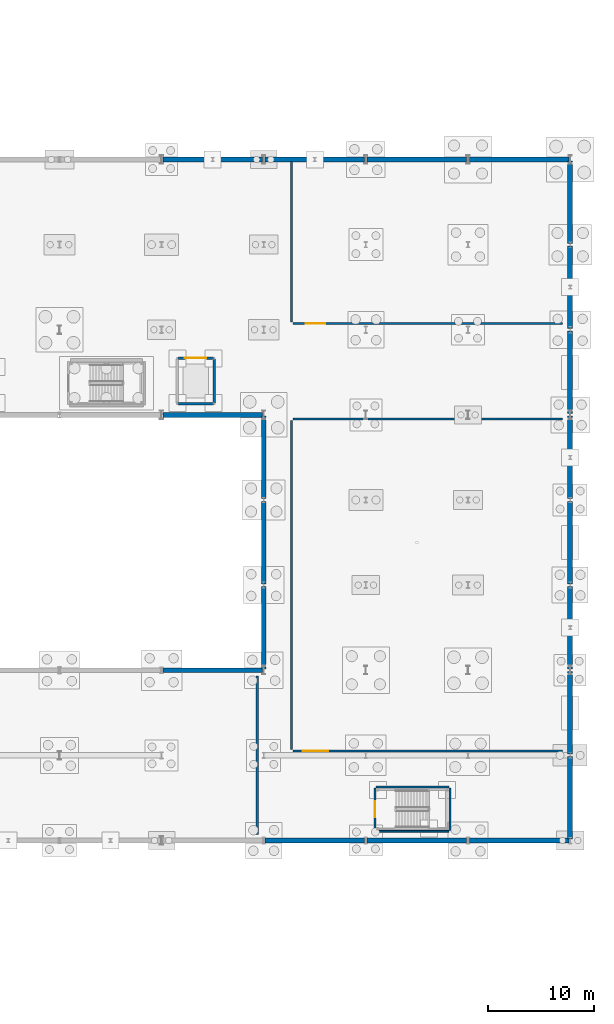
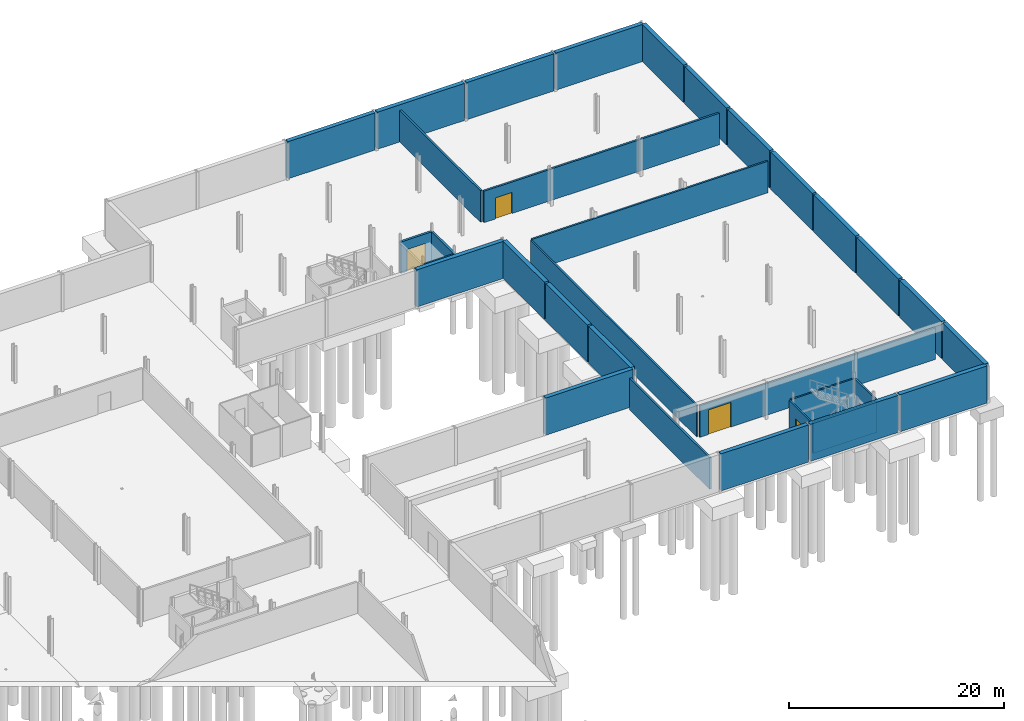
# One storey, part 40 of 47: 33 walls, 4 doors, 4 openings.
"""IFC4 building model written with IfcOpenShell, lengths in metres."""

import ifcopenshell
import ifcopenshell.guid

model = None  # the IFC model being written
_history = None  # IfcOwnerHistory: only IFC2X3 demands one
_inside = {}  # id of a spatial element -> (the spatial element, [elements in it])
_under = {}  # id of a project, library or spatial element -> (it, [spatial elements below it])
_declared = {}  # id of a project -> (the project, [libraries it declares])
_typed = {}  # id of a type object -> (the type object, [elements of that type])
_made_of = {}  # id of a material, layer set ... -> (it, [elements and type objects made of it])


def new_model(schema):
    """Start an empty IFC model of exactly this schema.

    Asked for "IFC4X3", IfcOpenShell would pick the latest addendum, in which some entities
    have other attributes; the version numbers below select the first issue.
    IFC2X3 requires an IfcOwnerHistory on every rooted entity: one is made here for all.
    """
    global model, _history
    if schema == "IFC4X3":
        model = ifcopenshell.file(schema_version=(4, 3, 0, 0))
    else:
        model = ifcopenshell.file(schema=schema)
    _inside.clear()
    _under.clear()
    _declared.clear()
    _typed.clear()
    _made_of.clear()
    _history = None
    if model.schema == "IFC2X3":
        org = make("IfcOrganization", Name="unknown")
        user = make(
            "IfcPersonAndOrganization",
            ThePerson=make("IfcPerson", FamilyName="unknown"),
            TheOrganization=org,
        )
        app = make(
            "IfcApplication",
            ApplicationDeveloper=org,
            Version="unknown",
            ApplicationFullName="unknown",
            ApplicationIdentifier="unknown",
        )
        _history = make(
            "IfcOwnerHistory",
            OwningUser=user,
            OwningApplication=app,
            ChangeAction="ADDED",
            CreationDate=0,
        )
    return model


def make(cls, **values):
    """One entity of the class cls with the attributes given. An attribute that is None is left unset."""
    return model.create_entity(
        cls, **{name: value for name, value in values.items() if value is not None}
    )


def rooted(cls, **values):
    """An entity with a GlobalId (a new one), such as an element, a storey or a relation."""
    return make(cls, GlobalId=ifcopenshell.guid.new(), OwnerHistory=_history, **values)


def si_unit(unit_type, name, prefix=None):
    """IfcSIUnit, for example si_unit("LENGTHUNIT", "METRE", prefix="MILLI")."""
    return make("IfcSIUnit", UnitType=unit_type, Prefix=prefix, Name=name)


def assignment(units):
    """IfcUnitAssignment: the units of a project."""
    return None if units is None else make("IfcUnitAssignment", Units=units)


def point(xyz):
    """IfcCartesianPoint."""
    return None if xyz is None else make("IfcCartesianPoint", Coordinates=xyz)


def direction(xyz):
    """IfcDirection."""
    return None if xyz is None else make("IfcDirection", DirectionRatios=xyz)


def frame(location, z_axis=None, x_axis=None):
    """IfcAxis2Placement3D, a coordinate frame: its origin and axes. An axis left out is left unset."""
    return make(
        "IfcAxis2Placement3D",
        Location=point(location),
        Axis=direction(z_axis),
        RefDirection=direction(x_axis),
    )


def frame_2d(location, x_axis=None):
    """IfcAxis2Placement2D, a coordinate frame in the plane: its origin and x axis."""
    return make(
        "IfcAxis2Placement2D", Location=point(location), RefDirection=direction(x_axis)
    )


def origin():
    """The frame at (0, 0, 0) with its axes left unset."""
    return frame((0.0, 0.0, 0.0))


def place(relative_to, where):
    """IfcLocalPlacement: puts the frame where relative to a parent placement (None: the world)."""
    return make(
        "IfcLocalPlacement", PlacementRelTo=relative_to, RelativePlacement=where
    )


def context(
    kind, dimensions, precision=None, world=None, true_north=None, identifier=None
):
    """IfcGeometricRepresentationContext, for example the 3D "Model" context."""
    return make(
        "IfcGeometricRepresentationContext",
        ContextIdentifier=identifier,
        ContextType=kind,
        CoordinateSpaceDimension=dimensions,
        Precision=precision,
        WorldCoordinateSystem=world,
        TrueNorth=true_north,
    )


def subcontext(parent, identifier, kind, view, scale=None):
    """IfcGeometricRepresentationSubContext, for example "Body" below "Model"."""
    return make(
        "IfcGeometricRepresentationSubContext",
        ContextIdentifier=identifier,
        ContextType=kind,
        ParentContext=parent,
        TargetScale=scale,
        TargetView=view,
    )


def project(units=None, contexts=None):
    """IfcProject with its units and contexts."""
    return rooted(
        "IfcProject",
        Name="project",
        RepresentationContexts=contexts,
        UnitsInContext=assignment(units),
    )


def spatial(cls, under=None, at=None, **own):
    """A site, building, storey or space (cls), placed at a placement, below another one or the project."""
    s = rooted(cls, ObjectPlacement=at, **own)
    if under is not None:
        _under.setdefault(under.id(), (under, []))[1].append(s)
    return s


def profile(cls, at=None, kind="AREA", **sizes):
    """A parametric profile (cls). Its sizes go by their IFC names, for example OverallWidth=200.0."""
    return make(cls, ProfileType=kind, Position=at, **sizes)


def rectangle(**sizes):
    """IfcRectangleProfileDef."""
    return profile("IfcRectangleProfileDef", **sizes)


def extrude(swept, where, along, depth):
    """IfcExtrudedAreaSolid: the profile swept, set in the frame where, extruded along a direction by depth."""
    return make(
        "IfcExtrudedAreaSolid",
        SweptArea=swept,
        Position=where,
        ExtrudedDirection=direction(along),
        Depth=depth,
    )


def shape(context_of_items, identifier, shape_type, items):
    """IfcShapeRepresentation: the items that make up one representation, for example the "Body"."""
    return make(
        "IfcShapeRepresentation",
        ContextOfItems=context_of_items,
        RepresentationIdentifier=identifier,
        RepresentationType=shape_type,
        Items=items,
    )


def material(Name=None, Category=None):
    """IfcMaterial."""
    return make("IfcMaterial", Name=Name, Category=Category)


def layer(
    of_material, thickness, ventilated=None, Name=None, Category=None, Priority=None
):
    """IfcMaterialLayer: one layer of a wall or slab, of a material (None: an air gap)."""
    return make(
        "IfcMaterialLayer",
        Material=of_material,
        LayerThickness=thickness,
        IsVentilated=ventilated,
        Name=Name,
        Category=Category,
        Priority=Priority,
    )


def layer_set(layers, Name=None):
    """IfcMaterialLayerSet."""
    return make("IfcMaterialLayerSet", MaterialLayers=layers, LayerSetName=Name)


def made_of(thing, what):
    """Note that an element or type object is made of a material, layer set ...; save() writes the relation."""
    if what is not None:
        _made_of.setdefault(what.id(), (what, []))[1].append(thing)
    return thing


def type_object(cls, material=None, **own):
    """A type object (cls), such as IfcWallType, which elements share."""
    return made_of(rooted(cls, **own), material)


def element(
    cls,
    number,
    at=None,
    inside=None,
    cuts=None,
    type_object=None,
    material=None,
    context=None,
    identifier="Body",
    shape_type=None,
    held_by="IfcProductDefinitionShape",
    body=None,
    shapes=None,
    **own,
):
    """One element of the class cls, such as IfcWall. Its Tag is "e" and its number.

    at: its placement. inside: the storey or other place that contains it. cuts: it is an
    opening in that element (IfcRelVoidsElement). A single representation is given by context,
    identifier, shape_type and body (its items); several are given by shapes. held_by: the class
    of the entity that holds the representations. save() writes the other relations.
    """
    e = rooted(cls, Tag="e%d" % number, ObjectPlacement=at, **own)
    if body is not None:
        shapes = [shape(context, identifier, shape_type, body)]
    if shapes is not None:
        e.Representation = make(held_by, Representations=shapes)
    if inside is not None:
        _inside.setdefault(inside.id(), (inside, []))[1].append(e)
    if cuts is not None:
        rooted(
            "IfcRelVoidsElement", RelatingBuildingElement=cuts, RelatedOpeningElement=e
        )
    if type_object is not None:
        _typed.setdefault(type_object.id(), (type_object, []))[1].append(e)
    return made_of(e, material)


def fill(opening, filler):
    """IfcRelFillsElement: the door or window that sits in an opening."""
    return rooted(
        "IfcRelFillsElement",
        RelatingOpeningElement=opening,
        RelatedBuildingElement=filler,
    )


def aggregate(whole, parts):
    """IfcRelAggregates: a whole, such as a stair, and the parts it consists of."""
    return rooted("IfcRelAggregates", RelatingObject=whole, RelatedObjects=parts)


def save(model, path):
    """Write the relations noted so far, then the file.

    IfcRelAggregates (storeys below a building ...), IfcRelContainedInSpatialStructure (elements
    in a storey), IfcRelDefinesByType, IfcRelAssociatesMaterial and IfcRelDeclares: one each for
    every whole, place, type object, material and project.
    """
    for whole, parts in _under.values():
        aggregate(whole, parts)
    for where, things in _inside.values():
        rooted(
            "IfcRelContainedInSpatialStructure",
            RelatedElements=things,
            RelatingStructure=where,
        )
    for kind, things in _typed.values():
        rooted("IfcRelDefinesByType", RelatedObjects=things, RelatingType=kind)
    for what, things in _made_of.values():
        rooted("IfcRelAssociatesMaterial", RelatedObjects=things, RelatingMaterial=what)
    for by, libraries in _declared.values():
        rooted("IfcRelDeclares", RelatingContext=by, RelatedDefinitions=libraries)
    model.write(path)


model = new_model("IFC4")

# Units and contexts
model_context = context("Model", 3, precision=1e-05, world=origin(), true_north=direction((0.0, 1.0)))
body_context = subcontext(model_context, "Body", "Model", "MODEL_VIEW")
ifc_project = project(units=[si_unit("LENGTHUNIT", "METRE"), si_unit("AREAUNIT", "SQUARE_METRE"), si_unit("VOLUMEUNIT", "CUBIC_METRE"), si_unit("PLANEANGLEUNIT", "RADIAN"), si_unit("MASSUNIT", "GRAM", prefix="KILO")], contexts=[model_context])

# Site, building, storey
site_placement = place(None, origin())
site = spatial("IfcSite", under=ifc_project, at=site_placement, CompositionType="ELEMENT")
building_placement = place(site_placement, origin())
building = spatial("IfcBuilding", under=site, at=building_placement, Name="Alderhovde Museum", CompositionType="ELEMENT")
storey_placement = place(building_placement, frame((0.0, 0.0, -4.5)))
storey = spatial("IfcBuildingStorey", under=building, at=storey_placement, Name="B1", CompositionType="ELEMENT", Elevation=-4.5)

# Wall
ifc_material_1 = material(Name="Fire-Resisting Twin-Stud Compartment Wall")
ifc_layer_1 = layer(ifc_material_1, 0.18994140625)
ifc_layer_set_1 = layer_set([ifc_layer_1], Name="Fire-Resisting Twin-Stud Compartment Wall")
wall_type_1 = type_object("IfcWallType", Name="IW-FIRE-190", PredefinedType="SOLIDWALL", material=ifc_layer_set_1)
wall_1_placement = place(storey_placement, frame((146.739990234375, 71.60009765625, 0.0), z_axis=(0.0, 0.0, 1.0), x_axis=(1.0, 0.0, 0.0)))
element("IfcWall", 1, at=wall_1_placement, inside=storey, type_object=wall_type_1, Name="B1 Crating and Quarantine Store Partition Wall N", PredefinedType="SOLIDWALL", context=body_context, shape_type="SweptSolid", body=[
    extrude(rectangle(XDim=25.320068359375, YDim=0.18994140625, at=frame_2d((12.66015625, 0.0))), origin(), (0.0, 0.0, 1.0), 3.580078125),
])

# Wall, opening, door
wall_2_placement = place(storey_placement, frame((146.739990234375, 40.39990234375, 0.0), z_axis=(0.0, 0.0, 1.0), x_axis=(1.0, 0.0, 0.0)))
wall_2 = element("IfcWall", 2, at=wall_2_placement, inside=storey, type_object=wall_type_1, Name="B1 Crating and Quarantine Store Partition Wall S", PredefinedType="SOLIDWALL", context=body_context, shape_type="SweptSolid", body=[
    extrude(rectangle(XDim=25.320068359375, YDim=0.18994140625, at=frame_2d((12.66015625, 0.0))), origin(), (0.0, 0.0, 1.0), 3.580078125),
])
opening_1_placement = place(wall_2_placement, frame((0.922119140625, 0.0, 0.0)))
opening_1 = element("IfcOpeningElement", 3, at=opening_1_placement, cuts=wall_2, Name="Opening FD-5", PredefinedType="OPENING", context=body_context, shape_type="SweptSolid", body=[
    extrude(rectangle(XDim=2.39990234375, YDim=2.800048828125, at=frame_2d((1.199951171875, 1.39990234375))), frame((0.0, 0.10498046875, 0.0), z_axis=(0.0, -1.0, 0.0), x_axis=(1.0, 0.0, 0.0)), (0.0, 0.0, 1.0), 0.2099609375),
])
ifc_material_2 = material(Name="Fire-Rated Crating Airlock Double Door (Steel/Oak)", Category="steel")
door_type_1 = type_object("IfcDoorType", Name="FD-DOCK-2400x2800", OperationType="NOTDEFINED", PredefinedType="DOOR", material=ifc_material_2)
door_1_placement = place(opening_1_placement, origin())
door_1 = element("IfcDoor", 4, at=door_1_placement, inside=storey, type_object=door_type_1, Name="B1 Crating and Quarantine Store Door", OperationType="DOUBLE_DOOR_SINGLE_SWING", OverallHeight=2.800048828125, OverallWidth=2.39990234375, PredefinedType="DOOR", context=body_context, shape_type="SweptSolid", body=[
    extrude(rectangle(XDim=2.39990234375, YDim=2.800048828125, at=frame_2d((1.199951171875, 1.39990234375))), frame((0.0, 0.02490234375, 0.0), z_axis=(0.0, -1.0, 0.0), x_axis=(1.0, 0.0, 0.0)), (0.0, 0.0, 1.0), 0.050048828125),
])
fill(opening_1, door_1)

# Walls
wall_3_placement = place(storey_placement, frame((146.60009765625, 40.5400390625, 0.0), z_axis=(0.0, 0.0, 1.0), x_axis=(0.0, 1.0, 0.0)))
element("IfcWall", 5, at=wall_3_placement, inside=storey, type_object=wall_type_1, Name="B1 Crating and Quarantine Store Partition Wall W", PredefinedType="SOLIDWALL", context=body_context, shape_type="SweptSolid", body=[
    extrude(rectangle(XDim=30.919921875, YDim=0.18994140625, at=frame_2d((15.4599609375, 0.0))), origin(), (0.0, 0.0, 1.0), 3.580078125),
])
ifc_material_3 = material(Name="Fire-Resisting Masonry Compartment Wall", Category="masonry")
ifc_layer_2 = layer(ifc_material_3, 0.2099609375)
ifc_layer_set_2 = layer_set([ifc_layer_2], Name="Fire-Resisting Masonry Compartment Wall")
wall_type_2 = type_object("IfcWallType", Name="IW-FIRE-210", PredefinedType="SOLIDWALL", material=ifc_layer_set_2)
wall_4_placement = place(storey_placement, frame((143.39990234375, 32.5400390625, 0.0), z_axis=(0.0, 0.0, 1.0), x_axis=(0.0, 1.0, 0.0)))
element("IfcWall", 6, at=wall_4_placement, inside=storey, type_object=wall_type_2, Name="B1 Cold Specimen Archive Partition Wall E", PredefinedType="SOLIDWALL", context=body_context, shape_type="SweptSolid", body=[
    extrude(rectangle(XDim=14.919921875, YDim=0.2099609375, at=frame_2d((7.4599609375, 0.0))), origin(), (0.0, 0.0, 1.0), 3.580078125),
])

# Wall, opening, door
wall_5_placement = place(storey_placement, frame((146.739990234375, 80.60009765625, 0.0), z_axis=(0.0, 0.0, 1.0), x_axis=(1.0, 0.0, 0.0)))
wall_5 = element("IfcWall", 7, at=wall_5_placement, inside=storey, type_object=wall_type_2, Name="B1 Paper and Photographic Archive Partition Wall S", PredefinedType="SOLIDWALL", context=body_context, shape_type="SweptSolid", body=[
    extrude(rectangle(XDim=25.320068359375, YDim=0.2099609375, at=frame_2d((12.66015625, 0.0))), origin(), (0.0, 0.0, 1.0), 3.580078125),
])
opening_2_placement = place(wall_5_placement, frame((1.222900390625, 0.0, 0.0)))
opening_2 = element("IfcOpeningElement", 8, at=opening_2_placement, cuts=wall_5, Name="Opening FD-2", PredefinedType="OPENING", context=body_context, shape_type="SweptSolid", body=[
    extrude(rectangle(XDim=1.800048828125, YDim=2.39990234375, at=frame_2d((0.89990234375, 1.199951171875))), frame((0.0, 0.114990234375, 0.0), z_axis=(0.0, -1.0, 0.0), x_axis=(1.0, 0.0, 0.0)), (0.0, 0.0, 1.0), 0.22998046875),
])
ifc_material_4 = material(Name="Fire-Rated Double Archive Vault Door (Steel/Oak)", Category="steel")
door_type_2 = type_object("IfcDoorType", Name="FD-ARCH-1800x2400", OperationType="NOTDEFINED", PredefinedType="DOOR", material=ifc_material_4)
door_2_placement = place(opening_2_placement, origin())
door_2 = element("IfcDoor", 9, at=door_2_placement, inside=storey, type_object=door_type_2, Name="B1 Paper and Photographic Archive Door", OperationType="DOUBLE_DOOR_SINGLE_SWING", OverallHeight=2.39990234375, OverallWidth=1.800048828125, PredefinedType="DOOR", context=body_context, shape_type="SweptSolid", body=[
    extrude(rectangle(XDim=1.800048828125, YDim=2.39990234375, at=frame_2d((0.89990234375, 1.199951171875))), frame((0.0, 0.02490234375, 0.0), z_axis=(0.0, -1.0, 0.0), x_axis=(1.0, 0.0, 0.0)), (0.0, 0.0, 1.0), 0.050048828125),
])
fill(opening_2, door_2)

# Walls
wall_6_placement = place(storey_placement, frame((146.60009765625, 80.739990234375, 0.0), z_axis=(0.0, 0.0, 1.0), x_axis=(0.0, 1.0, 0.0)))
element("IfcWall", 10, at=wall_6_placement, inside=storey, type_object=wall_type_2, Name="B1 Paper and Photographic Archive Partition Wall W", PredefinedType="SOLIDWALL", context=body_context, shape_type="SweptSolid", body=[
    extrude(rectangle(XDim=15.090087890625, YDim=0.2099609375, at=frame_2d((7.544921875, 0.0))), origin(), (0.0, 0.0, 1.0), 3.580078125),
])
ifc_material_5 = material(Name="Concrete C40/50 and Fireboard Shaft Wall", Category="concrete")
ifc_layer_3 = layer(ifc_material_5, 0.22998046875)
ifc_layer_set_3 = layer_set([ifc_layer_3], Name="Concrete C40/50 and Fireboard Shaft Wall")
wall_type_3 = type_object("IfcWallType", Name="IW-SHAFT-230", PredefinedType="SOLIDWALL", material=ifc_layer_set_3)
wall_7_placement = place(storey_placement, frame((135.93994140625, 73.06005859375, 0.0), z_axis=(0.0, 0.0, 1.0), x_axis=(1.0, 0.0, 0.0)))
element("IfcWall", 11, at=wall_7_placement, inside=storey, type_object=wall_type_3, Name="B1 Goods Lift Shaft Wall South", PredefinedType="SOLIDWALL", context=body_context, shape_type="SweptSolid", body=[
    extrude(rectangle(XDim=3.320068359375, YDim=0.22998046875, at=frame_2d((1.66015625, 0.0))), origin(), (0.0, 0.0, 1.0), 3.580078125),
])

# Wall, opening, door
wall_8_placement = place(storey_placement, frame((135.93994140625, 77.340087890625, 0.0), z_axis=(0.0, 0.0, 1.0), x_axis=(1.0, 0.0, 0.0)))
wall_8 = element("IfcWall", 12, at=wall_8_placement, inside=storey, type_object=wall_type_3, Name="B1 Goods Lift Shaft Wall North", PredefinedType="SOLIDWALL", context=body_context, shape_type="SweptSolid", body=[
    extrude(rectangle(XDim=3.320068359375, YDim=0.22998046875, at=frame_2d((1.66015625, 0.0))), origin(), (0.0, 0.0, 1.0), 3.580078125),
])
opening_3_placement = place(wall_8_placement, frame((0.659912109375, 0.0, 0.0)))
opening_3 = element("IfcOpeningElement", 13, at=opening_3_placement, cuts=wall_8, Name="Opening LD-2", PredefinedType="OPENING", context=body_context, shape_type="SweptSolid", body=[
    extrude(rectangle(XDim=2.0, YDim=2.5, at=frame_2d((1.0, 1.25))), frame((0.0, 0.125, 0.0), z_axis=(0.0, -1.0, 0.0), x_axis=(1.0, 0.0, 0.0)), (0.0, 0.0, 1.0), 0.25),
])
ifc_material_6 = material(Name="Goods Lift Sliding Landing Door (Steel/Oak)", Category="steel")
door_type_3 = type_object("IfcDoorType", Name="LD-GOODS-2000x2500", OperationType="SLIDING_TO_RIGHT", PredefinedType="DOOR", material=ifc_material_6)
door_3_placement = place(opening_3_placement, origin())
door_3 = element("IfcDoor", 14, at=door_3_placement, inside=storey, type_object=door_type_3, Name="B1 Goods Lift Landing Door", OperationType="SLIDING_TO_RIGHT", OverallHeight=2.5, OverallWidth=2.0, PredefinedType="DOOR", context=body_context, shape_type="SweptSolid", body=[
    extrude(rectangle(XDim=2.0, YDim=2.5, at=frame_2d((1.0, 1.25))), frame((0.0, 0.02490234375, 0.0), z_axis=(0.0, -1.0, 0.0), x_axis=(1.0, 0.0, 0.0)), (0.0, 0.0, 1.0), 0.050048828125),
])
fill(opening_3, door_3)

# Wall
wall_9_placement = place(storey_placement, frame((139.340087890625, 73.139892578125, 0.0), z_axis=(0.0, 0.0, 1.0), x_axis=(0.0, 1.0, 0.0)))
element("IfcWall", 15, at=wall_9_placement, inside=storey, type_object=wall_type_3, Name="B1 Goods Lift Shaft Wall East", PredefinedType="SOLIDWALL", context=body_context, shape_type="SweptSolid", body=[
    extrude(rectangle(XDim=4.1201171875, YDim=0.22998046875, at=frame_2d((2.06005859375, 0.0))), origin(), (0.0, 0.0, 1.0), 3.580078125),
])

# Wall, opening, door
ifc_material_7 = material(Name="Fire-Resisting Stair Lobby Wall")
ifc_layer_4 = layer(ifc_material_7, 0.169921875)
ifc_layer_set_4 = layer_set([ifc_layer_4], Name="Fire-Resisting Stair Lobby Wall")
wall_type_4 = type_object("IfcWallType", Name="IW-STAIR-170", PredefinedType="SOLIDWALL", material=ifc_layer_set_4)
wall_10_placement = place(storey_placement, frame((154.4599609375, 32.9599609375, 0.0), z_axis=(0.0, 0.0, 1.0), x_axis=(0.0, 1.0, 0.0)))
wall_10 = element("IfcWall", 16, at=wall_10_placement, inside=storey, type_object=wall_type_4, Name="B1 Escape Stair ST7 Fire Wall W", PredefinedType="SOLIDWALL", context=body_context, shape_type="SweptSolid", body=[
    extrude(rectangle(XDim=3.9599609375, YDim=0.169921875, at=frame_2d((1.97998046875, 0.0))), origin(), (0.0, 0.0, 1.0), 3.580078125),
])
opening_4_placement = place(wall_10_placement, frame((1.22998046875, 0.0, 0.0)))
opening_4 = element("IfcOpeningElement", 17, at=opening_4_placement, cuts=wall_10, Name="Opening FD-1", PredefinedType="OPENING", context=body_context, shape_type="SweptSolid", body=[
    extrude(rectangle(XDim=1.5, YDim=2.199951171875, at=frame_2d((0.75, 1.10009765625))), frame((0.0, 0.094970703125, 0.0), z_axis=(0.0, -1.0, 0.0), x_axis=(1.0, 0.0, 0.0)), (0.0, 0.0, 1.0), 0.18994140625),
])
ifc_material_8 = material(Name="Fire-Rated Steel Stair Escape Door (Steel/Oak)", Category="steel")
door_type_4 = type_object("IfcDoorType", Name="FD-STAIR-1500x2200", OperationType="NOTDEFINED", PredefinedType="DOOR", material=ifc_material_8)
door_4_placement = place(opening_4_placement, origin())
door_4 = element("IfcDoor", 18, at=door_4_placement, inside=storey, type_object=door_type_4, Name="B1 Escape Stair ST7 Fire Door", OperationType="SINGLE_SWING_LEFT", OverallHeight=2.199951171875, OverallWidth=1.5, PredefinedType="DOOR", context=body_context, shape_type="SweptSolid", body=[
    extrude(rectangle(XDim=1.5, YDim=2.199951171875, at=frame_2d((0.75, 1.10009765625))), frame((0.0, 0.02490234375, 0.0), z_axis=(0.0, -1.0, 0.0), x_axis=(1.0, 0.0, 0.0)), (0.0, 0.0, 1.0), 0.050048828125),
])
fill(opening_4, door_4)

# Walls
wall_11_placement = place(storey_placement, frame((161.5, 32.9599609375, 0.0), z_axis=(0.0, 0.0, 1.0), x_axis=(0.0, 1.0, 0.0)))
element("IfcWall", 19, at=wall_11_placement, inside=storey, type_object=wall_type_4, Name="B1 Escape Stair ST7 Fire Wall E", PredefinedType="SOLIDWALL", context=body_context, shape_type="SweptSolid", body=[
    extrude(rectangle(XDim=3.9599609375, YDim=0.169921875, at=frame_2d((1.97998046875, 0.0))), origin(), (0.0, 0.0, 1.0), 3.580078125),
])
for number, where, z_axis, x_axis, name in (
    (20, (154.56005859375, 32.860107421875, 0.0), (0.0, 0.0, 1.0), (1.0, 0.0, 0.0), "B1 Escape Stair ST7 Fire Wall S"),
    (21, (154.56005859375, 37.02001953125, 0.0), (0.0, 0.0, 1.0), (1.0, 0.0, 0.0), "B1 Escape Stair ST7 Fire Wall N"),
):
    element("IfcWall", number, at=place(storey_placement, frame(where, z_axis=z_axis, x_axis=x_axis)), inside=storey, type_object=wall_type_4, Name=name, PredefinedType="SOLIDWALL", context=body_context, shape_type="SweptSolid", body=[
        extrude(rectangle(XDim=6.83984375, YDim=0.169921875, at=frame_2d((3.419921875, 0.0))), origin(), (0.0, 0.0, 1.0), 3.580078125),
    ])
ifc_material_9 = material(Name="Concrete C40/50", Category="concrete")
ifc_layer_5 = layer(ifc_material_9, 0.449951171875)
ifc_layer_set_5 = layer_set([ifc_layer_5], Name="Concrete C40/50")
wall_type_5 = type_object("IfcWallType", Name="SW-RET-450", PredefinedType="SHEAR", material=ifc_layer_set_5)
for number, where, z_axis, x_axis, name in (
    (22, (134.52001953125, 96.0, 0.0), (0.0, 0.0, 1.0), (1.0, 0.0, 0.0), "B1 Concrete Perimeter Retaining Wall 26"),
    (23, (144.1201171875, 96.0, 0.0), (0.0, 0.0, 1.0), (1.0, 0.0, 0.0), "B1 Concrete Perimeter Retaining Wall 27"),
):
    element("IfcWall", number, at=place(storey_placement, frame(where, z_axis=z_axis, x_axis=x_axis)), inside=storey, type_object=wall_type_5, Name=name, PredefinedType="SHEAR", context=body_context, shape_type="SweptSolid", body=[
        extrude(rectangle(XDim=9.35986328125, YDim=0.449951171875, at=frame_2d((4.679931640625, 0.0))), origin(), (0.0, 0.0, 1.0), 4.219970703125),
    ])
wall_12_placement = place(storey_placement, frame((153.719970703125, 96.0, 0.0), z_axis=(0.0, 0.0, 1.0), x_axis=(1.0, 0.0, 0.0)))
element("IfcWall", 24, at=wall_12_placement, inside=storey, type_object=wall_type_5, Name="B1 Concrete Perimeter Retaining Wall 28", PredefinedType="SHEAR", context=body_context, shape_type="SweptSolid", body=[
    extrude(rectangle(XDim=9.360107421875, YDim=0.449951171875, at=frame_2d((4.68017578125, 0.0))), origin(), (0.0, 0.0, 1.0), 4.219970703125),
])
wall_13_placement = place(storey_placement, frame((163.320068359375, 96.0, 0.0), z_axis=(0.0, 0.0, 1.0), x_axis=(1.0, 0.0, 0.0)))
element("IfcWall", 25, at=wall_13_placement, inside=storey, type_object=wall_type_5, Name="B1 Concrete Perimeter Retaining Wall 29", PredefinedType="SHEAR", context=body_context, shape_type="SweptSolid", body=[
    extrude(rectangle(XDim=9.35986328125, YDim=0.449951171875, at=frame_2d((4.679931640625, 0.0))), origin(), (0.0, 0.0, 1.0), 4.219970703125),
])
for number, where, z_axis, x_axis, name in (
    (26, (172.800048828125, 32.1201171875, 0.0), (0.0, 0.0, 1.0), (0.0, 1.0, 0.0), "B1 Concrete Perimeter Retaining Wall 30"),
    (27, (172.800048828125, 40.1201171875, 0.0), (0.0, 0.0, 1.0), (0.0, 1.0, 0.0), "B1 Concrete Perimeter Retaining Wall 31"),
    (28, (172.800048828125, 48.1201171875, 0.0), (0.0, 0.0, 1.0), (0.0, 1.0, 0.0), "B1 Concrete Perimeter Retaining Wall 32"),
    (29, (172.800048828125, 56.1201171875, 0.0), (0.0, 0.0, 1.0), (0.0, 1.0, 0.0), "B1 Concrete Perimeter Retaining Wall 33"),
    (30, (172.800048828125, 64.1201171875, 0.0), (0.0, 0.0, 1.0), (0.0, 1.0, 0.0), "B1 Concrete Perimeter Retaining Wall 34"),
    (31, (172.800048828125, 72.1201171875, 0.0), (0.0, 0.0, 1.0), (0.0, 1.0, 0.0), "B1 Concrete Perimeter Retaining Wall 35"),
    (32, (172.800048828125, 80.1201171875, 0.0), (0.0, 0.0, 1.0), (0.0, 1.0, 0.0), "B1 Concrete Perimeter Retaining Wall 36"),
    (33, (172.800048828125, 88.1201171875, 0.0), (0.0, 0.0, 1.0), (0.0, 1.0, 0.0), "B1 Concrete Perimeter Retaining Wall 37"),
):
    element("IfcWall", number, at=place(storey_placement, frame(where, z_axis=z_axis, x_axis=x_axis)), inside=storey, type_object=wall_type_5, Name=name, PredefinedType="SHEAR", context=body_context, shape_type="SweptSolid", body=[
        extrude(rectangle(XDim=7.759765625, YDim=0.449951171875, at=frame_2d((3.8798828125, 0.0))), origin(), (0.0, 0.0, 1.0), 4.219970703125),
    ])
wall_14_placement = place(storey_placement, frame((144.1201171875, 32.0, 0.0), z_axis=(0.0, 0.0, 1.0), x_axis=(1.0, 0.0, 0.0)))
element("IfcWall", 34, at=wall_14_placement, inside=storey, type_object=wall_type_5, Name="B1 Concrete Perimeter Retaining Wall 41", PredefinedType="SHEAR", context=body_context, shape_type="SweptSolid", body=[
    extrude(rectangle(XDim=9.35986328125, YDim=0.449951171875, at=frame_2d((4.679931640625, 0.0))), origin(), (0.0, 0.0, 1.0), 4.219970703125),
])
wall_15_placement = place(storey_placement, frame((153.719970703125, 32.0, 0.0), z_axis=(0.0, 0.0, 1.0), x_axis=(1.0, 0.0, 0.0)))
element("IfcWall", 35, at=wall_15_placement, inside=storey, type_object=wall_type_5, Name="B1 Concrete Perimeter Retaining Wall 42", PredefinedType="SHEAR", context=body_context, shape_type="SweptSolid", body=[
    extrude(rectangle(XDim=9.360107421875, YDim=0.449951171875, at=frame_2d((4.68017578125, 0.0))), origin(), (0.0, 0.0, 1.0), 4.219970703125),
])
for number, where, z_axis, x_axis, name in (
    (36, (163.320068359375, 32.0, 0.0), (0.0, 0.0, 1.0), (1.0, 0.0, 0.0), "B1 Concrete Perimeter Retaining Wall 43"),
    (37, (134.52001953125, 48.0, 0.0), (0.0, 0.0, 1.0), (1.0, 0.0, 0.0), "B1 Concrete Perimeter Retaining Wall 67"),
    (38, (134.52001953125, 72.0, 0.0), (0.0, 0.0, 1.0), (1.0, 0.0, 0.0), "B1 Concrete Perimeter Retaining Wall 70"),
):
    element("IfcWall", number, at=place(storey_placement, frame(where, z_axis=z_axis, x_axis=x_axis)), inside=storey, type_object=wall_type_5, Name=name, PredefinedType="SHEAR", context=body_context, shape_type="SweptSolid", body=[
        extrude(rectangle(XDim=9.35986328125, YDim=0.449951171875, at=frame_2d((4.679931640625, 0.0))), origin(), (0.0, 0.0, 1.0), 4.219970703125),
    ])
for number, where, z_axis, x_axis, name in (
    (39, (144.0, 48.1201171875, 0.0), (0.0, 0.0, 1.0), (0.0, 1.0, 0.0), "B1 Concrete Perimeter Retaining Wall 71"),
    (40, (144.0, 56.1201171875, 0.0), (0.0, 0.0, 1.0), (0.0, 1.0, 0.0), "B1 Concrete Perimeter Retaining Wall 72"),
    (41, (144.0, 64.1201171875, 0.0), (0.0, 0.0, 1.0), (0.0, 1.0, 0.0), "B1 Concrete Perimeter Retaining Wall 73"),
):
    element("IfcWall", number, at=place(storey_placement, frame(where, z_axis=z_axis, x_axis=x_axis)), inside=storey, type_object=wall_type_5, Name=name, PredefinedType="SHEAR", context=body_context, shape_type="SweptSolid", body=[
        extrude(rectangle(XDim=7.759765625, YDim=0.449951171875, at=frame_2d((3.8798828125, 0.0))), origin(), (0.0, 0.0, 1.0), 4.219970703125),
    ])

save(model, "model.ifc")
